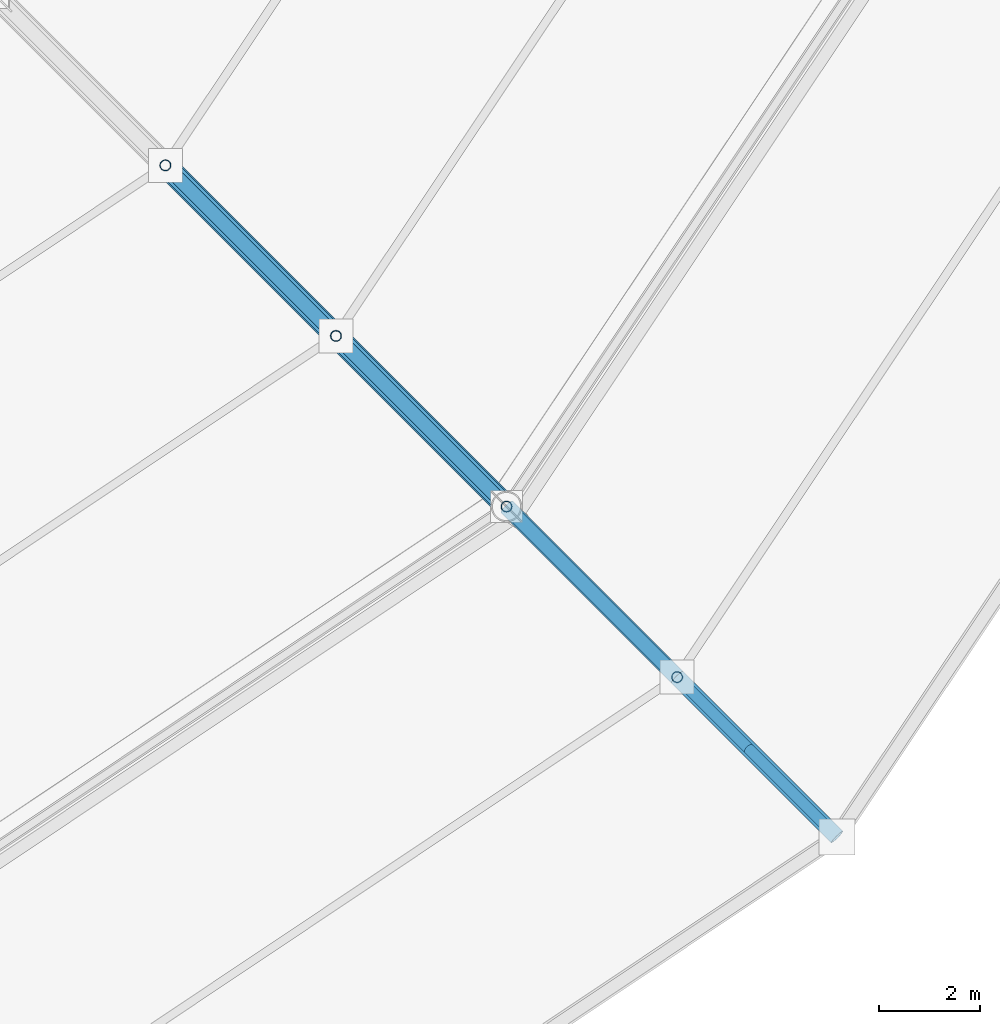
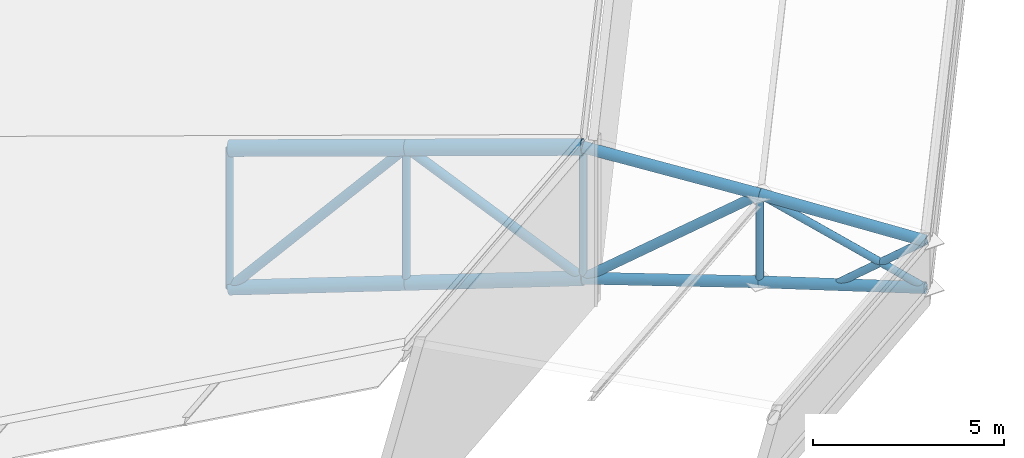
# One storey, part 65 of 146: 17 members.
"""IFC4 building model written with IfcOpenShell, lengths in metres."""

from ifc_helpers import new_model, si_unit, direction, frame, origin, origin_2d, place, context, subcontext, project, spatial, hollow_circle, extrude, material, material_profile, profile_set, type_object, element, save


model = new_model("IFC4")

# Units and contexts
model_context = context("Model", 3, precision=1e-05, world=origin(), true_north=direction((0.0, 1.0)))
body_context = subcontext(model_context, "Body", "Model", "MODEL_VIEW")
ifc_project = project(units=[si_unit("LENGTHUNIT", "METRE"), si_unit("AREAUNIT", "SQUARE_METRE"), si_unit("VOLUMEUNIT", "CUBIC_METRE"), si_unit("PLANEANGLEUNIT", "RADIAN"), si_unit("MASSUNIT", "GRAM", prefix="KILO")], contexts=[model_context])

# Site, building, storey
site_placement = place(None, origin())
site = spatial("IfcSite", under=ifc_project, at=site_placement, CompositionType="ELEMENT")
building_placement = place(site_placement, origin())
building = spatial("IfcBuilding", under=site, at=building_placement, Name="Candeia Ridge Stadium", CompositionType="ELEMENT")
storey_placement = place(building_placement, frame((0.0, 0.0, 31.800048828125)))
storey = spatial("IfcBuildingStorey", under=building, at=storey_placement, Name="RF", CompositionType="ELEMENT", Elevation=31.800048828125)

# Members
ifc_material = material(Name="Steel ASTM A572 Grade 50", Category="steel")
ifc_material_profile_1 = material_profile(ifc_material, hollow_circle(Radius=0.161865234375, WallThickness=0.012451171875, at=origin_2d()), Name="CHS323x12", Category="steel")
ifc_profile_set_1 = profile_set([ifc_material_profile_1], Name="Steel ASTM A572 Grade 50")
member_type_1 = type_object("IfcMemberType", Name="Roof Truss Eaves Chord CHS323x12", PredefinedType="CHORD", material=ifc_profile_set_1)
member_1_placement = place(storey_placement, frame((177.76953125, 34.23046875, 4.599853515625), z_axis=(0.700873044687, -0.700873044687, -0.132491322215), x_axis=(0.707106781187, 0.707106781187, 0.0)))
element("IfcMember", 1, at=member_1_placement, inside=storey, type_object=member_type_1, Name="Roof cantilever truss RT-28 top chord 7", PredefinedType="CHORD", context=body_context, shape_type="SweptSolid", body=[
    extrude(hollow_circle(Radius=0.161865234375, WallThickness=0.012451171875, at=origin_2d()), origin(), (0.0, 0.0, 1.0), 4.842529296875),
])
member_2_placement = place(storey_placement, frame((177.76953125, 34.23046875, 0.39990234375), z_axis=(0.698586254364, -0.698586254364, 0.154772382639), x_axis=(0.707106781187, 0.707106781187, 0.0)))
element("IfcMember", 2, at=member_2_placement, inside=storey, type_object=member_type_1, Name="Roof cantilever truss RT-28 bottom chord 7", PredefinedType="CHORD", context=body_context, shape_type="SweptSolid", body=[
    extrude(hollow_circle(Radius=0.161865234375, WallThickness=0.012451171875, at=origin_2d()), origin(), (0.0, 0.0, 1.0), 4.8583984375),
])
member_3_placement = place(storey_placement, frame((181.16357421875, 30.83642578125, 3.958251953125), z_axis=(0.699233040755, -0.699233040755, -0.148816361443), x_axis=(0.707106781187, 0.707106781187, 0.0)))
element("IfcMember", 3, at=member_3_placement, inside=storey, type_object=member_type_1, Name="Roof cantilever truss RT-28 top chord 8", PredefinedType="CHORD", context=body_context, shape_type="SweptSolid", body=[
    extrude(hollow_circle(Radius=0.161865234375, WallThickness=0.012451171875, at=origin_2d()), origin(), (0.0, 0.0, 1.0), 4.55078125),
])
member_4_placement = place(storey_placement, frame((181.16357421875, 30.83642578125, 1.15185546875), z_axis=(0.700296133436, -0.700296133436, 0.138458119983), x_axis=(0.707106781187, 0.707106781187, 0.0)))
element("IfcMember", 4, at=member_4_placement, inside=storey, type_object=member_type_1, Name="Roof cantilever truss RT-28 bottom chord 8", PredefinedType="CHORD", context=body_context, shape_type="SweptSolid", body=[
    extrude(hollow_circle(Radius=0.161865234375, WallThickness=0.012451171875, at=origin_2d()), origin(), (0.0, 0.0, 1.0), 4.5439453125),
])
ifc_material_profile_2 = material_profile(ifc_material, hollow_circle(Radius=0.136474609375, WallThickness=0.010009765625, at=origin_2d()), Name="CHS273x10", Category="steel")
ifc_profile_set_2 = profile_set([ifc_material_profile_2], Name="Steel ASTM A572 Grade 50")
member_type_2 = type_object("IfcMemberType", Name="Roof Truss Heavy Web Brace CHS273x10", PredefinedType="BRACE", material=ifc_profile_set_2)
member_5_placement = place(storey_placement, frame((170.9814453125, 41.0185546875, -1.642822265625), z_axis=(0.471976735173, -0.471976735173, 0.744631400701), x_axis=(0.707106781187, 0.707106781187, 0.0)))
element("IfcMember", 5, at=member_5_placement, inside=storey, type_object=member_type_2, Name="Roof cantilever truss RT-28 diagonal web 5", PredefinedType="BRACE", context=body_context, shape_type="SweptSolid", body=[
    extrude(hollow_circle(Radius=0.136474609375, WallThickness=0.010009765625, at=origin_2d()), origin(), (0.0, 0.0, 1.0), 7.191162109375),
])
member_6_placement = place(storey_placement, frame((174.37548828125, 37.62451171875, 3.7119140625), z_axis=(0.582001018536, -0.582001018536, -0.567934528662), x_axis=(0.707106781187, 0.707106781187, 0.0)))
element("IfcMember", 6, at=member_6_placement, inside=storey, type_object=member_type_2, Name="Roof cantilever truss RT-28 diagonal web 6", PredefinedType="BRACE", context=body_context, shape_type="SweptSolid", body=[
    extrude(hollow_circle(Radius=0.136474609375, WallThickness=0.010009765625, at=origin_2d()), origin(), (0.0, 0.0, 1.0), 5.831787109375),
])
member_7_placement = place(storey_placement, frame((177.76953125, 34.23046875, 0.39990234375), z_axis=(0.56803841845, -0.56803841845, 0.595537329082), x_axis=(0.707106781187, 0.707106781187, 0.0)))
element("IfcMember", 7, at=member_7_placement, inside=storey, type_object=member_type_2, Name="Roof cantilever truss RT-28 diagonal web 7", PredefinedType="BRACE", context=body_context, shape_type="SweptSolid", body=[
    extrude(hollow_circle(Radius=0.136474609375, WallThickness=0.010009765625, at=origin_2d()), origin(), (0.0, 0.0, 1.0), 5.97509765625),
])
ifc_material_profile_3 = material_profile(ifc_material, hollow_circle(Radius=0.109619140625, WallThickness=0.010009765625, at=origin_2d()), Name="CHS219x10", Category="steel")
ifc_profile_set_3 = profile_set([ifc_material_profile_3], Name="Steel ASTM A572 Grade 50")
member_type_3 = type_object("IfcMemberType", Name="Roof Truss Inner Web Brace CHS219x10", PredefinedType="BRACE", material=ifc_profile_set_3)
member_8_placement = place(storey_placement, frame((181.16357421875, 30.83642578125, 3.958251953125), z_axis=(0.636523949664, -0.636523949664, -0.435516386612), x_axis=(0.707106781187, 0.707106781187, 0.0)))
element("IfcMember", 8, at=member_8_placement, inside=storey, type_object=member_type_3, Name="Roof cantilever truss RT-28 diagonal web 8", PredefinedType="BRACE", context=body_context, shape_type="SweptSolid", body=[
    extrude(hollow_circle(Radius=0.109619140625, WallThickness=0.010009765625, at=origin_2d()), origin(), (0.0, 0.0, 1.0), 4.999267578125),
])
member_9_placement = place(storey_placement, frame((170.9814453125, 41.0185546875, -1.642822265625), z_axis=(0.0, 0.0, 1.0), x_axis=(1.0, 0.0, 0.0)))
element("IfcMember", 9, at=member_9_placement, inside=storey, type_object=member_type_3, Name="Roof cantilever truss RT-28 vertical post 4", PredefinedType="BRACE", context=body_context, shape_type="SweptSolid", body=[
    extrude(hollow_circle(Radius=0.109619140625, WallThickness=0.010009765625, at=origin_2d()), origin(), (0.0, 0.0, 1.0), 4.466796875),
])
member_10_placement = place(storey_placement, frame((174.37548828125, 37.62451171875, -0.621337890625), z_axis=(0.0, 0.0, 1.0), x_axis=(1.0, 0.0, 0.0)))
element("IfcMember", 10, at=member_10_placement, inside=storey, type_object=member_type_3, Name="Roof cantilever truss RT-28 vertical post 5", PredefinedType="BRACE", context=body_context, shape_type="SweptSolid", body=[
    extrude(hollow_circle(Radius=0.109619140625, WallThickness=0.010009765625, at=origin_2d()), origin(), (0.0, 0.0, 1.0), 4.333251953125),
])
member_11_placement = place(storey_placement, frame((177.76953125, 34.23046875, 0.39990234375), z_axis=(0.0, 0.0, 1.0), x_axis=(1.0, 0.0, 0.0)))
element("IfcMember", 11, at=member_11_placement, inside=storey, type_object=member_type_3, Name="Roof cantilever truss RT-28 vertical post 6", PredefinedType="BRACE", context=body_context, shape_type="SweptSolid", body=[
    extrude(hollow_circle(Radius=0.109619140625, WallThickness=0.010009765625, at=origin_2d()), origin(), (0.0, 0.0, 1.0), 4.199951171875),
])
member_12_placement = place(storey_placement, frame((181.16357421875, 30.83642578125, 1.15185546875), z_axis=(0.0, 0.0, 1.0), x_axis=(1.0, 0.0, 0.0)))
element("IfcMember", 12, at=member_12_placement, inside=storey, type_object=member_type_3, Name="Roof cantilever truss RT-28 vertical post 7", PredefinedType="BRACE", context=body_context, shape_type="SweptSolid", body=[
    extrude(hollow_circle(Radius=0.109619140625, WallThickness=0.010009765625, at=origin_2d()), origin(), (0.0, 0.0, 1.0), 2.806396484375),
])
member_13_placement = place(storey_placement, frame((182.595703125, 29.404296875, 1.43505859375), z_axis=(0.566805631246, -0.566805631246, 0.597881888651), x_axis=(0.707106781187, 0.707106781187, 0.0)))
element("IfcMember", 13, at=member_13_placement, inside=storey, type_object=member_type_3, Name="Roof cantilever truss RT-28 vertical post 8", PredefinedType="BRACE", context=body_context, shape_type="SweptSolid", body=[
    extrude(hollow_circle(Radius=0.109619140625, WallThickness=0.010009765625, at=origin_2d()), origin(), (0.0, 0.0, 1.0), 3.08740234375),
])
ifc_material_profile_4 = material_profile(ifc_material, hollow_circle(Radius=0.228515625, WallThickness=0.02001953125, at=origin_2d()), Name="CHS457x20", Category="steel")
ifc_profile_set_4 = profile_set([ifc_material_profile_4], Name="Steel ASTM A572 Grade 50")
member_type_4 = type_object("IfcMemberType", Name="Roof Truss Main Chord CHS457x20", PredefinedType="CHORD", material=ifc_profile_set_4)
for number, where, z_axis, x_axis, name in (
    (14, (170.9814453125, 41.0185546875, 2.823974609375), (0.695309513547, -0.695309513547, 0.181904812313), (0.707106781187, 0.707106781187, 0.0), "Roof cantilever truss RT-28 top chord 5"),
    (15, (174.37548828125, 37.62451171875, 3.7119140625), (0.695309513547, -0.695309513547, 0.181904812313), (0.707106781187, 0.707106781187, 0.0), "Roof cantilever truss RT-28 top chord 6"),
):
    element("IfcMember", number, at=place(storey_placement, frame(where, z_axis=z_axis, x_axis=x_axis)), inside=storey, type_object=member_type_4, Name=name, PredefinedType="CHORD", context=body_context, shape_type="SweptSolid", body=[
        extrude(hollow_circle(Radius=0.228515625, WallThickness=0.02001953125, at=origin_2d()), origin(), (0.0, 0.0, 1.0), 4.88134765625),
    ])
ifc_material_profile_5 = material_profile(ifc_material, hollow_circle(Radius=0.202880859375, WallThickness=0.01611328125, at=origin_2d()), Name="CHS406x16", Category="steel")
ifc_profile_set_5 = profile_set([ifc_material_profile_5], Name="Steel ASTM A572 Grade 50")
member_type_5 = type_object("IfcMemberType", Name="Roof Truss Outer Chord CHS406x16", PredefinedType="CHORD", material=ifc_profile_set_5)
member_14_placement = place(storey_placement, frame((170.9814453125, 41.0185546875, -1.642822265625), z_axis=(0.691618626206, -0.691618626206, 0.2081522322), x_axis=(0.707106781187, 0.707106781187, 0.0)))
element("IfcMember", 16, at=member_14_placement, inside=storey, type_object=member_type_5, Name="Roof cantilever truss RT-28 bottom chord 5", PredefinedType="CHORD", context=body_context, shape_type="SweptSolid", body=[
    extrude(hollow_circle(Radius=0.202880859375, WallThickness=0.01611328125, at=origin_2d()), origin(), (0.0, 0.0, 1.0), 4.907470703125),
])
member_15_placement = place(storey_placement, frame((174.37548828125, 37.62451171875, -0.621337890625), z_axis=(0.691625787508, -0.691625787508, 0.208104637401), x_axis=(0.707106781187, 0.707106781187, 0.0)))
element("IfcMember", 17, at=member_15_placement, inside=storey, type_object=member_type_5, Name="Roof cantilever truss RT-28 bottom chord 6", PredefinedType="CHORD", context=body_context, shape_type="SweptSolid", body=[
    extrude(hollow_circle(Radius=0.202880859375, WallThickness=0.01611328125, at=origin_2d()), origin(), (0.0, 0.0, 1.0), 4.9072265625),
])

save(model, "model.ifc")
